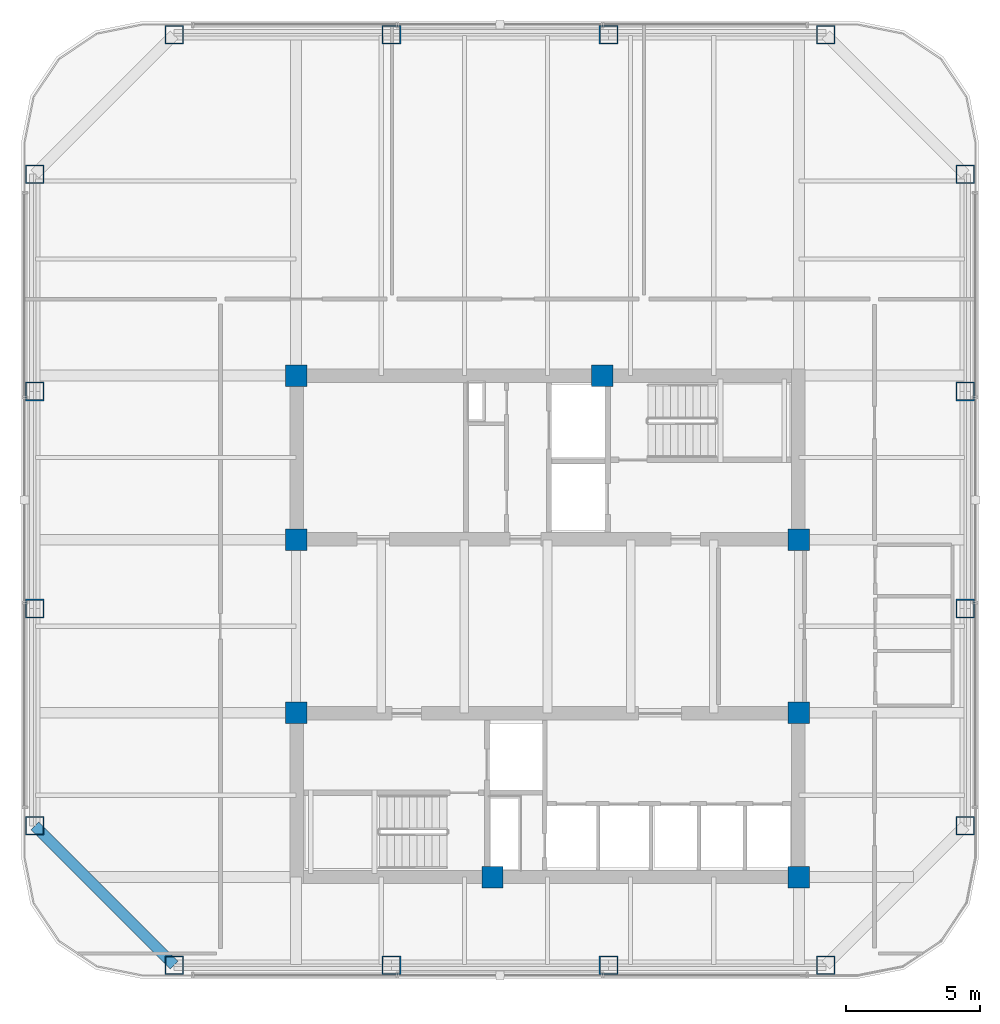
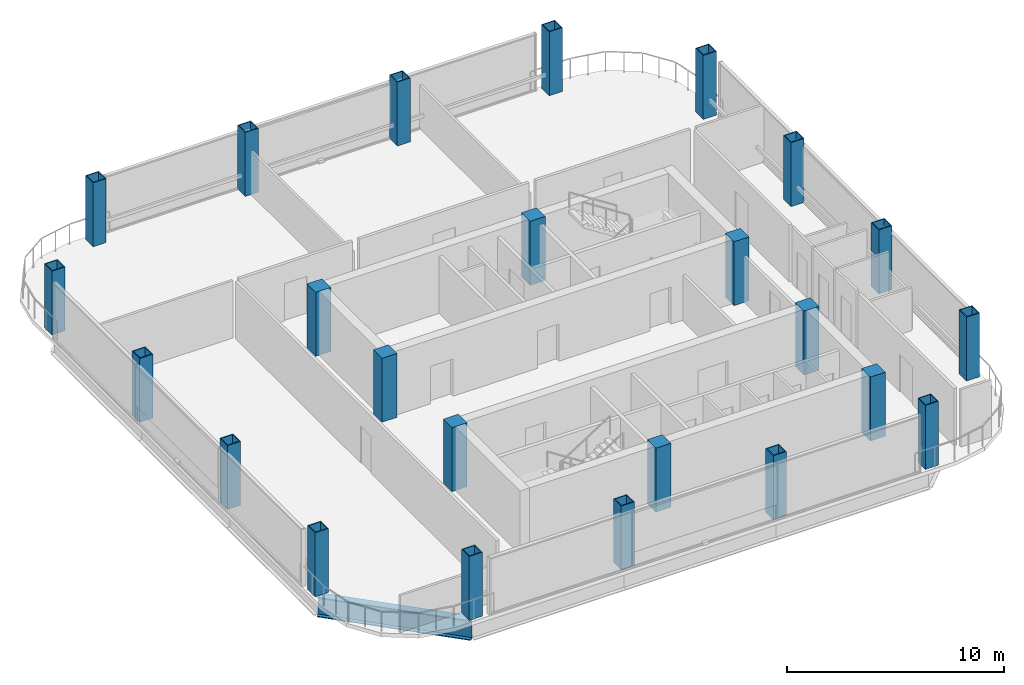
# One storey, part 1 of 19: 24 columns, 1 beam.
"""IFC4 building model written with IfcOpenShell, lengths in metres."""

from ifc_helpers import new_model, si_unit, direction, frame, origin, origin_2d, place, context, subcontext, project, spatial, rectangle, hollow_rectangle, i_section, extrude, material, material_profile, profile_set, type_object, element, save


model = new_model("IFC4")

# Units and contexts
model_context = context("Model", 3, precision=1e-05, world=origin(), true_north=direction((0.0, 1.0)))
body_context = subcontext(model_context, "Body", "Model", "MODEL_VIEW")
ifc_project = project(units=[si_unit("LENGTHUNIT", "METRE"), si_unit("AREAUNIT", "SQUARE_METRE"), si_unit("VOLUMEUNIT", "CUBIC_METRE"), si_unit("PLANEANGLEUNIT", "RADIAN"), si_unit("MASSUNIT", "GRAM", prefix="KILO")], contexts=[model_context])

# Site, building, storey
site_placement = place(None, origin())
site = spatial("IfcSite", under=ifc_project, at=site_placement, CompositionType="ELEMENT")
building_placement = place(site_placement, origin())
building = spatial("IfcBuilding", under=site, at=building_placement, Name="Qhalaya Broadcast Tower", CompositionType="ELEMENT")
storey_placement = place(building_placement, frame((0.0, 0.0, 148.199951171875)))
storey = spatial("IfcBuildingStorey", under=building, at=storey_placement, Name="L43", CompositionType="ELEMENT", Elevation=148.199951171875)

# Columns
ifc_material_1 = material(Name="Concrete C50/60", Category="concrete")
ifc_material_profile_1 = material_profile(ifc_material_1, rectangle(XDim=0.800048828125, YDim=0.800048828125, at=origin_2d()), Name="RC-COL 800x800")
ifc_profile_set_1 = profile_set([ifc_material_profile_1], Name="Concrete C50/60")
column_type_1 = type_object("IfcColumnType", Name="RC Upper Column C10", PredefinedType="COLUMN", material=ifc_profile_set_1)
for number, where, z_axis, x_axis, name in (
    (1, (-9.375, 9.949951171875, 0.0), (0.0, 0.0, 1.0), (1.0, 0.0, 0.0), "L43 Column COL-CC1"),
    (2, (2.050048828125, 9.949951171875, 0.0), (0.0, 0.0, 1.0), (1.0, 0.0, 0.0), "L43 Column COL-CC2"),
    (3, (-9.375, 3.824951171875, 0.0), (0.0, 0.0, 1.0), (1.0, 0.0, 0.0), "L43 Column COL-CC3"),
    (4, (9.375, 3.824951171875, 0.0), (0.0, 0.0, 1.0), (1.0, 0.0, 0.0), "L43 Column COL-CC4"),
    (5, (-9.375, -2.625, 0.0), (0.0, 0.0, 1.0), (1.0, 0.0, 0.0), "L43 Column COL-CC5"),
    (6, (9.375, -2.625, 0.0), (0.0, 0.0, 1.0), (1.0, 0.0, 0.0), "L43 Column COL-CC6"),
    (7, (-2.050048828125, -8.75, 0.0), (0.0, 0.0, 1.0), (1.0, 0.0, 0.0), "L43 Column COL-CC7"),
    (8, (9.375, -8.75, 0.0), (0.0, 0.0, 1.0), (1.0, 0.0, 0.0), "L43 Column COL-CC8"),
):
    element("IfcColumn", number, at=place(storey_placement, frame(where, z_axis=z_axis, x_axis=x_axis)), inside=storey, type_object=column_type_1, Name=name, PredefinedType="COLUMN", context=body_context, shape_type="SweptSolid", body=[
        extrude(rectangle(XDim=0.800048828125, YDim=0.800048828125, at=origin_2d()), origin(), (0.0, 0.0, 1.0), 3.60009765625),
    ])
ifc_material_2 = material(Name="Structural Steel ASTM A572 Grade 50", Category="steel")
ifc_material_profile_2 = material_profile(ifc_material_2, hollow_rectangle(XDim=0.699951171875, YDim=0.699951171875, WallThickness=0.044921875, at=origin_2d()), Name="BOX 700x700x45")
ifc_profile_set_2 = profile_set([ifc_material_profile_2], Name="Structural Steel ASTM A572 Grade 50")
column_type_2 = type_object("IfcColumnType", Name="Steel Box Column C04", PredefinedType="COLUMN", material=ifc_profile_set_2)
for number, where, z_axis, x_axis, name in (
    (9, (-13.919921875, -12.0400390625, 0.0), (0.0, 0.0, 1.0), (1.0, 0.0, 0.0), "L43 Column COL-NK01"),
    (10, (-5.820068359375, -12.0400390625, 0.0), (0.0, 0.0, 1.0), (1.0, 0.0, 0.0), "L43 Column COL-NK02"),
    (11, (2.280029296875, -12.0400390625, 0.0), (0.0, 0.0, 1.0), (1.0, 0.0, 0.0), "L43 Column COL-NK03"),
    (12, (10.3798828125, -12.0400390625, 0.0), (0.0, 0.0, 1.0), (1.0, 0.0, 0.0), "L43 Column COL-NK04"),
    (13, (15.580078125, -6.840087890625, 0.0), (0.0, 0.0, 1.0), (0.0, 1.0, 0.0), "L43 Column COL-NK05"),
    (14, (15.580078125, 1.260009765625, 0.0), (0.0, 0.0, 1.0), (0.0, 1.0, 0.0), "L43 Column COL-NK06"),
    (15, (15.580078125, 9.360107421875, 0.0), (0.0, 0.0, 1.0), (0.0, 1.0, 0.0), "L43 Column COL-NK07"),
    (16, (15.580078125, 17.4599609375, 0.0), (0.0, 0.0, 1.0), (0.0, 1.0, 0.0), "L43 Column COL-NK08"),
    (17, (10.3798828125, 22.659912109375, 0.0), (0.0, 0.0, 1.0), (1.0, 0.0, 0.0), "L43 Column COL-NK09"),
    (18, (2.280029296875, 22.659912109375, 0.0), (0.0, 0.0, 1.0), (1.0, 0.0, 0.0), "L43 Column COL-NK10"),
    (19, (-5.820068359375, 22.659912109375, 0.0), (0.0, 0.0, 1.0), (1.0, 0.0, 0.0), "L43 Column COL-NK11"),
    (20, (-13.919921875, 22.659912109375, 0.0), (0.0, 0.0, 1.0), (1.0, 0.0, 0.0), "L43 Column COL-NK12"),
    (21, (-19.1201171875, 17.4599609375, 0.0), (0.0, 0.0, 1.0), (0.0, 1.0, 0.0), "L43 Column COL-NK13"),
    (22, (-19.1201171875, 9.360107421875, 0.0), (0.0, 0.0, 1.0), (0.0, 1.0, 0.0), "L43 Column COL-NK14"),
    (23, (-19.1201171875, 1.260009765625, 0.0), (0.0, 0.0, 1.0), (0.0, 1.0, 0.0), "L43 Column COL-NK15"),
    (24, (-19.1201171875, -6.840087890625, 0.0), (0.0, 0.0, 1.0), (0.0, 1.0, 0.0), "L43 Column COL-NK16"),
):
    element("IfcColumn", number, at=place(storey_placement, frame(where, z_axis=z_axis, x_axis=x_axis)), inside=storey, type_object=column_type_2, Name=name, PredefinedType="COLUMN", context=body_context, shape_type="SweptSolid", body=[
        extrude(hollow_rectangle(XDim=0.699951171875, YDim=0.699951171875, WallThickness=0.044921875, at=origin_2d()), origin(), (0.0, 0.0, 1.0), 3.60009765625),
    ])

# Beam
ifc_material_3 = material(Name="Structural Steel ASTM A992 Grade 50", Category="steel")
ifc_material_profile_3 = material_profile(ifc_material_3, i_section(OverallWidth=0.404052734375, OverallDepth=1.117919921875, WebThickness=0.026123046875, FlangeThickness=0.044921875, at=origin_2d()), Name="W44X335")
ifc_profile_set_3 = profile_set([ifc_material_profile_3], Name="Structural Steel ASTM A992 Grade 50")
beam_type = type_object("IfcBeamType", Name="Podium Long-Span Primary Girder PG1", PredefinedType="USERDEFINED", material=ifc_profile_set_3)
beam_placement = place(storey_placement, frame((-19.1201171875, -6.840087890625, -0.779052734375), z_axis=(0.707123380132, -0.707090181851, 0.0), x_axis=(0.707090181851, 0.707123380132, 0.0)))
element("IfcBeam", 25, at=beam_placement, inside=storey, type_object=beam_type, Name="L43 PG1 L43-SPR-16", ObjectType="GIRDER", PredefinedType="USERDEFINED", context=body_context, shape_type="SweptSolid", body=[
    extrude(i_section(OverallWidth=0.404052734375, OverallDepth=1.117919921875, WebThickness=0.026123046875, FlangeThickness=0.044921875, at=origin_2d()), origin(), (0.0, 0.0, 1.0), 7.35400390625),
])

save(model, "model.ifc")
